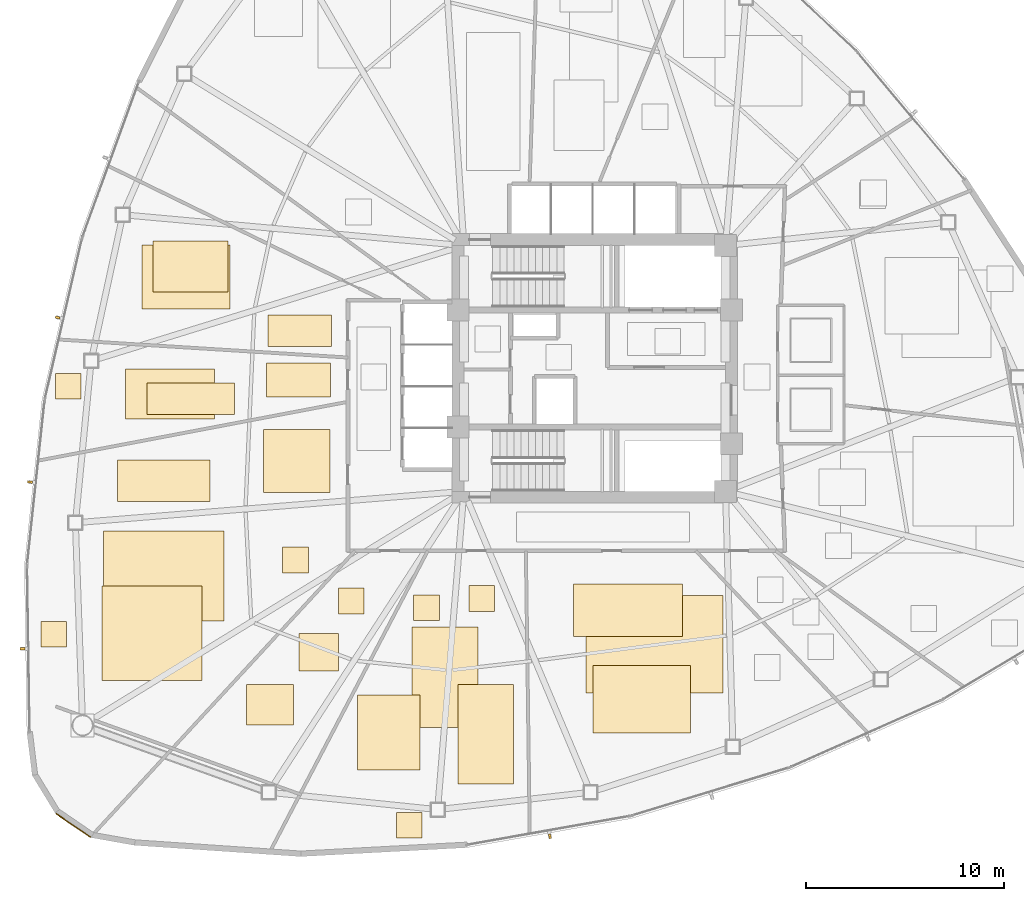
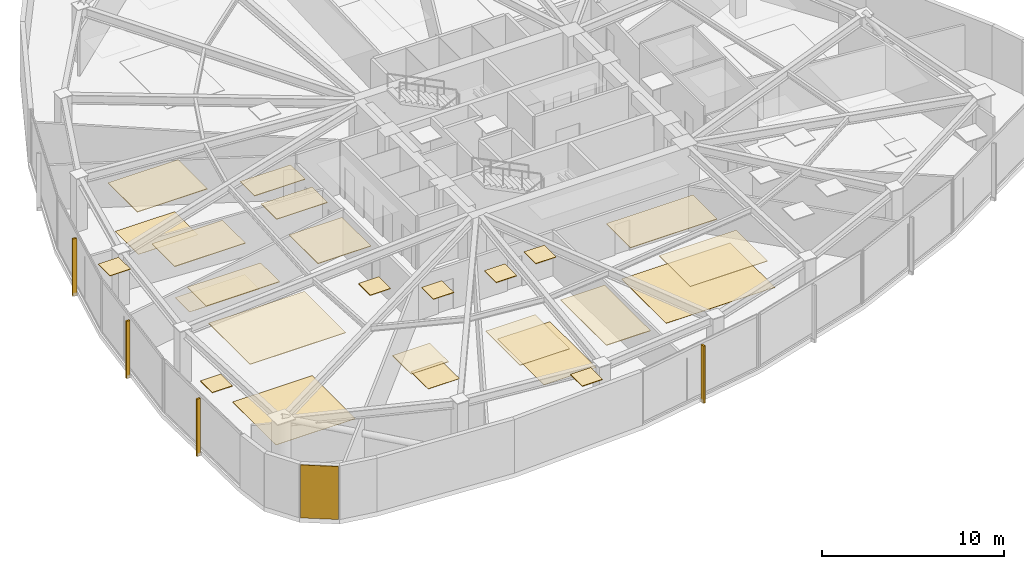
# One storey, part 14 of 17: 26 coverings, 4 shading devices.
"""IFC4 building model written with IfcOpenShell, lengths in metres."""

from ifc_helpers import new_model, si_unit, direction, frame, origin, origin_2d, place, context, subcontext, project, spatial, polyline, rectangle, outline, extrude, source, transform, mapped, material, layer, layer_set, type_object, type_shapes, element, save


model = new_model("IFC4")

# Units and contexts
model_context = context("Model", 3, precision=1e-05, world=origin(), true_north=direction((0.0, 1.0)))
body_context = subcontext(model_context, "Body", "Model", "MODEL_VIEW")
ifc_project = project(units=[si_unit("LENGTHUNIT", "METRE"), si_unit("AREAUNIT", "SQUARE_METRE"), si_unit("VOLUMEUNIT", "CUBIC_METRE"), si_unit("PLANEANGLEUNIT", "RADIAN"), si_unit("MASSUNIT", "GRAM", prefix="KILO")], contexts=[model_context])

# Site, building, storey
site_placement = place(None, origin())
site = spatial("IfcSite", under=ifc_project, at=site_placement, CompositionType="ELEMENT")
building_placement = place(site_placement, origin())
building = spatial("IfcBuilding", under=site, at=building_placement, Name="Tavelor Broadcast Tower", CompositionType="ELEMENT")
storey_placement = place(building_placement, frame((0.0, 0.0, 82.199951171875)))
storey = spatial("IfcBuildingStorey", under=building, at=storey_placement, Name="L19", CompositionType="ELEMENT", Elevation=82.199951171875)

# Coverings
ifc_material_1 = material(Name="Copper-Bronze Anodized Aluminium", Category="aluminium")
ifc_layer_1 = layer(ifc_material_1, 0.050048828125)
ifc_layer_set_1 = layer_set([ifc_layer_1], Name="Copper-Bronze Anodized Aluminium")
covering_type_1 = type_object("IfcCoveringType", Name="Champagne-Bronze Corner Pier Metal Cladding 50 mm", PredefinedType="CLADDING", material=ifc_layer_set_1)
covering_1_placement = place(storey_placement, frame((23.678955078125, 21.94873046875, 0.02001953125), z_axis=(0.0, 0.0, 1.0), x_axis=(0.825606210755, -0.56424674103, 0.0)))
element("IfcCovering", 1, at=covering_1_placement, inside=storey, type_object=covering_type_1, Name="L19 Champagne-Bronze Corner Cladding 13", PredefinedType="CLADDING", context=body_context, shape_type="SweptSolid", body=[
    extrude(rectangle(XDim=2.110595703125, YDim=0.050048828125, at=origin_2d()), origin(), (0.0, 0.0, 1.0), 3.56005859375),
])
ifc_material_2 = material(Name="Acoustic Nylon Carpet Tile")
ifc_layer_2 = layer(ifc_material_2, 0.02001953125)
ifc_layer_set_2 = layer_set([ifc_layer_2], Name="Acoustic Nylon Carpet Tile")
covering_type_2 = type_object("IfcCoveringType", Name="Heavy-Duty Acoustic Broadcast Carpet Tile 20 mm", PredefinedType="FLOORING", material=ifc_layer_set_2)
covering_2_placement = place(storey_placement, origin())
element("IfcCovering", 2, at=covering_2_placement, inside=storey, type_object=covering_type_2, Name="L19 Broadcast Floor Finish 0276", PredefinedType="FLOORING", context=body_context, shape_type="SweptSolid", body=[
    extrude(outline(polyline([(49.560546875, 28.62890625), (56.46630859375, 28.62890625), (56.46630859375, 33.54248046875), (49.560546875, 33.54248046875), (49.560546875, 28.62890625)])), origin(), (0.0, 0.0, 1.0), 0.02001953125),
])
covering_3_placement = place(storey_placement, origin())
element("IfcCovering", 3, at=covering_3_placement, inside=storey, type_object=covering_type_2, Name="L19 Broadcast Floor Finish 0277", PredefinedType="FLOORING", context=body_context, shape_type="SweptSolid", body=[
    extrude(outline(polyline([(40.779296875, 26.881591796875), (44.10498046875, 26.881591796875), (44.10498046875, 31.9638671875), (40.779296875, 31.9638671875), (40.779296875, 26.881591796875)])), origin(), (0.0, 0.0, 1.0), 0.02001953125),
])
covering_4_placement = place(storey_placement, origin())
element("IfcCovering", 4, at=covering_4_placement, inside=storey, type_object=covering_type_2, Name="L19 Broadcast Floor Finish 0278", PredefinedType="FLOORING", context=body_context, shape_type="SweptSolid", body=[
    extrude(outline(polyline([(35.07373046875, 29.72265625), (37.064208984375, 29.72265625), (37.064208984375, 31.639404296875), (35.07373046875, 31.639404296875), (35.07373046875, 29.72265625)])), origin(), (0.0, 0.0, 1.0), 0.02001953125),
])
covering_5_placement = place(storey_placement, origin())
element("IfcCovering", 5, at=covering_5_placement, inside=storey, type_object=covering_type_2, Name="L19 Broadcast Floor Finish 0279", PredefinedType="FLOORING", context=body_context, shape_type="SweptSolid", body=[
    extrude(outline(polyline([(25.130615234375, 29.256103515625), (30.18798828125, 29.256103515625), (30.18798828125, 34.021728515625), (25.130615234375, 34.021728515625), (25.130615234375, 29.256103515625)])), origin(), (0.0, 0.0, 1.0), 0.02001953125),
])
covering_6_placement = place(storey_placement, origin())
element("IfcCovering", 6, at=covering_6_placement, inside=storey, type_object=covering_type_2, Name="L19 Broadcast Floor Finish 0280", PredefinedType="FLOORING", context=body_context, shape_type="SweptSolid", body=[
    extrude(outline(polyline([(27.395751953125, 42.67529296875), (31.81201171875, 42.67529296875), (31.81201171875, 44.2705078125), (27.395751953125, 44.2705078125), (27.395751953125, 42.67529296875)])), origin(), (0.0, 0.0, 1.0), 0.02001953125),
])
covering_7_placement = place(storey_placement, origin())
element("IfcCovering", 7, at=covering_7_placement, inside=storey, type_object=covering_type_2, Name="L19 Broadcast Floor Finish 0281", PredefinedType="FLOORING", context=body_context, shape_type="SweptSolid", body=[
    extrude(outline(polyline([(27.718994140625, 48.868896484375), (31.49951171875, 48.868896484375), (31.49951171875, 51.42236328125), (27.718994140625, 51.42236328125), (27.718994140625, 48.868896484375)])), origin(), (0.0, 0.0, 1.0), 0.02001953125),
])
ifc_material_3 = material(Name="Acoustic Mineral Fibre Tile")
ifc_layer_3 = layer(ifc_material_3, 0.0400390625)
ifc_layer_set_3 = layer_set([ifc_layer_3], Name="Acoustic Mineral Fibre Tile")
covering_type_3 = type_object("IfcCoveringType", Name="Suspended Acoustic Mineral-Fibre Office Ceiling 40 mm", PredefinedType="CEILING", material=ifc_layer_set_3)
covering_8_placement = place(storey_placement, frame((0.0, 0.0, 3.56005859375)))
element("IfcCovering", 8, at=covering_8_placement, inside=storey, type_object=covering_type_3, Name="L19 Suspended Acoustic Ceiling 0790", PredefinedType="CEILING", context=body_context, shape_type="SweptSolid", body=[
    extrude(outline(polyline([(48.93310546875, 31.4697265625), (54.43603515625, 31.4697265625), (54.43603515625, 34.13134765625), (48.93310546875, 34.13134765625), (48.93310546875, 31.4697265625)])), origin(), (0.0, 0.0, 1.0), 0.0400390625),
])
covering_9_placement = place(storey_placement, frame((0.0, 0.0, 3.56005859375)))
element("IfcCovering", 9, at=covering_9_placement, inside=storey, type_object=covering_type_3, Name="L19 Suspended Acoustic Ceiling 0792", PredefinedType="CEILING", context=body_context, shape_type="SweptSolid", body=[
    extrude(outline(polyline([(49.914794921875, 26.596435546875), (54.821533203125, 26.596435546875), (54.821533203125, 30.024169921875), (49.914794921875, 30.024169921875), (49.914794921875, 26.596435546875)])), origin(), (0.0, 0.0, 1.0), 0.0400390625),
])
covering_10_placement = place(storey_placement, frame((0.0, 0.0, 3.56005859375)))
element("IfcCovering", 10, at=covering_10_placement, inside=storey, type_object=covering_type_3, Name="L19 Suspended Acoustic Ceiling 0793", PredefinedType="CEILING", context=body_context, shape_type="SweptSolid", body=[
    extrude(outline(polyline([(38.029052734375, 24.7421875), (41.1904296875, 24.7421875), (41.1904296875, 28.5283203125), (38.029052734375, 28.5283203125), (38.029052734375, 24.7421875)])), origin(), (0.0, 0.0, 1.0), 0.0400390625),
])
covering_11_placement = place(storey_placement, frame((0.0, 0.0, 3.56005859375)))
element("IfcCovering", 11, at=covering_11_placement, inside=storey, type_object=covering_type_3, Name="L19 Suspended Acoustic Ceiling 0794", PredefinedType="CEILING", context=body_context, shape_type="SweptSolid", body=[
    extrude(outline(polyline([(40.868408203125, 32.272705078125), (42.168212890625, 32.272705078125), (42.168212890625, 33.572509765625), (40.868408203125, 33.572509765625), (40.868408203125, 32.272705078125)])), origin(), (0.0, 0.0, 1.0), 0.0400390625),
])
covering_12_placement = place(storey_placement, frame((0.0, 0.0, 3.56005859375)))
element("IfcCovering", 12, at=covering_12_placement, inside=storey, type_object=covering_type_3, Name="L19 Suspended Acoustic Ceiling 0795", PredefinedType="CEILING", context=body_context, shape_type="SweptSolid", body=[
    extrude(outline(polyline([(43.654541015625, 32.74755859375), (44.95458984375, 32.74755859375), (44.95458984375, 34.047607421875), (43.654541015625, 34.047607421875), (43.654541015625, 32.74755859375)])), origin(), (0.0, 0.0, 1.0), 0.0400390625),
])
covering_13_placement = place(storey_placement, frame((0.0, 0.0, 3.56005859375)))
element("IfcCovering", 13, at=covering_13_placement, inside=storey, type_object=covering_type_3, Name="L19 Suspended Acoustic Ceiling 0796", PredefinedType="CEILING", context=body_context, shape_type="SweptSolid", body=[
    extrude(outline(polyline([(43.102294921875, 24.02880859375), (45.912109375, 24.02880859375), (45.912109375, 29.0615234375), (43.102294921875, 29.0615234375), (43.102294921875, 24.02880859375)])), origin(), (0.0, 0.0, 1.0), 0.0400390625),
])
covering_14_placement = place(storey_placement, frame((0.0, 0.0, 3.56005859375)))
element("IfcCovering", 14, at=covering_14_placement, inside=storey, type_object=covering_type_3, Name="L19 Suspended Acoustic Ceiling 0797", PredefinedType="CEILING", context=body_context, shape_type="SweptSolid", body=[
    extrude(outline(polyline([(39.990478515625, 21.29638671875), (41.29052734375, 21.29638671875), (41.29052734375, 22.596435546875), (39.990478515625, 22.596435546875), (39.990478515625, 21.29638671875)])), origin(), (0.0, 0.0, 1.0), 0.0400390625),
])
covering_15_placement = place(storey_placement, frame((0.0, 0.0, 3.56005859375)))
element("IfcCovering", 15, at=covering_15_placement, inside=storey, type_object=covering_type_3, Name="L19 Suspended Acoustic Ceiling 0798", PredefinedType="CEILING", context=body_context, shape_type="SweptSolid", body=[
    extrude(outline(polyline([(32.41748046875, 27.000732421875), (34.799560546875, 27.000732421875), (34.799560546875, 29.06494140625), (32.41748046875, 29.06494140625), (32.41748046875, 27.000732421875)])), origin(), (0.0, 0.0, 1.0), 0.0400390625),
])
covering_16_placement = place(storey_placement, frame((0.0, 0.0, 3.56005859375)))
element("IfcCovering", 16, at=covering_16_placement, inside=storey, type_object=covering_type_3, Name="L19 Suspended Acoustic Ceiling 0799", PredefinedType="CEILING", context=body_context, shape_type="SweptSolid", body=[
    extrude(outline(polyline([(37.070556640625, 32.61328125), (38.37060546875, 32.61328125), (38.37060546875, 33.913330078125), (37.070556640625, 33.913330078125), (37.070556640625, 32.61328125)])), origin(), (0.0, 0.0, 1.0), 0.0400390625),
])
covering_17_placement = place(storey_placement, frame((0.0, 0.0, 3.56005859375)))
element("IfcCovering", 17, at=covering_17_placement, inside=storey, type_object=covering_type_3, Name="L19 Suspended Acoustic Ceiling 0800", PredefinedType="CEILING", context=body_context, shape_type="SweptSolid", body=[
    extrude(outline(polyline([(22.048095703125, 30.939697265625), (23.34814453125, 30.939697265625), (23.34814453125, 32.239501953125), (22.048095703125, 32.239501953125), (22.048095703125, 30.939697265625)])), origin(), (0.0, 0.0, 1.0), 0.0400390625),
])
covering_18_placement = place(storey_placement, frame((0.0, 0.0, 3.56005859375)))
element("IfcCovering", 18, at=covering_18_placement, inside=storey, type_object=covering_type_3, Name="L19 Suspended Acoustic Ceiling 0801", PredefinedType="CEILING", context=body_context, shape_type="SweptSolid", body=[
    extrude(outline(polyline([(25.921630859375, 38.293212890625), (30.58642578125, 38.293212890625), (30.58642578125, 40.3837890625), (25.921630859375, 40.3837890625), (25.921630859375, 38.293212890625)])), origin(), (0.0, 0.0, 1.0), 0.0400390625),
])
covering_19_placement = place(storey_placement, frame((0.0, 0.0, 3.56005859375)))
element("IfcCovering", 19, at=covering_19_placement, inside=storey, type_object=covering_type_3, Name="L19 Suspended Acoustic Ceiling 0802", PredefinedType="CEILING", context=body_context, shape_type="SweptSolid", body=[
    extrude(outline(polyline([(33.28466796875, 38.75048828125), (36.64892578125, 38.75048828125), (36.64892578125, 41.927001953125), (33.28466796875, 41.927001953125), (33.28466796875, 38.75048828125)])), origin(), (0.0, 0.0, 1.0), 0.0400390625),
])
covering_20_placement = place(storey_placement, frame((0.0, 0.0, 3.56005859375)))
element("IfcCovering", 20, at=covering_20_placement, inside=storey, type_object=covering_type_3, Name="L19 Suspended Acoustic Ceiling 0803", PredefinedType="CEILING", context=body_context, shape_type="SweptSolid", body=[
    extrude(outline(polyline([(34.251220703125, 34.6806640625), (35.551025390625, 34.6806640625), (35.551025390625, 35.980712890625), (34.251220703125, 35.980712890625), (34.251220703125, 34.6806640625)])), origin(), (0.0, 0.0, 1.0), 0.0400390625),
])
covering_21_placement = place(storey_placement, frame((0.0, 0.0, 3.56005859375)))
element("IfcCovering", 21, at=covering_21_placement, inside=storey, type_object=covering_type_3, Name="L19 Suspended Acoustic Ceiling 0804", PredefinedType="CEILING", context=body_context, shape_type="SweptSolid", body=[
    extrude(outline(polyline([(25.208740234375, 32.24951171875), (31.298828125, 32.24951171875), (31.298828125, 36.802734375), (25.208740234375, 36.802734375), (25.208740234375, 32.24951171875)])), origin(), (0.0, 0.0, 1.0), 0.0400390625),
])
covering_22_placement = place(storey_placement, frame((0.0, 0.0, 3.56005859375)))
element("IfcCovering", 22, at=covering_22_placement, inside=storey, type_object=covering_type_3, Name="L19 Suspended Acoustic Ceiling 0805", PredefinedType="CEILING", context=body_context, shape_type="SweptSolid", body=[
    extrude(outline(polyline([(33.44140625, 43.568603515625), (36.67431640625, 43.568603515625), (36.67431640625, 45.27490234375), (33.44140625, 45.27490234375), (33.44140625, 43.568603515625)])), origin(), (0.0, 0.0, 1.0), 0.0400390625),
])
covering_23_placement = place(storey_placement, frame((0.0, 0.0, 3.56005859375)))
element("IfcCovering", 23, at=covering_23_placement, inside=storey, type_object=covering_type_3, Name="L19 Suspended Acoustic Ceiling 0806", PredefinedType="CEILING", context=body_context, shape_type="SweptSolid", body=[
    extrude(outline(polyline([(26.31787109375, 42.4482421875), (30.81103515625, 42.4482421875), (30.81103515625, 44.970703125), (26.31787109375, 44.970703125), (26.31787109375, 42.4482421875)])), origin(), (0.0, 0.0, 1.0), 0.0400390625),
])
covering_24_placement = place(storey_placement, frame((0.0, 0.0, 3.56005859375)))
element("IfcCovering", 24, at=covering_24_placement, inside=storey, type_object=covering_type_3, Name="L19 Suspended Acoustic Ceiling 0807", PredefinedType="CEILING", context=body_context, shape_type="SweptSolid", body=[
    extrude(outline(polyline([(22.783447265625, 43.4541015625), (24.08349609375, 43.4541015625), (24.08349609375, 44.75390625), (22.783447265625, 44.75390625), (22.783447265625, 43.4541015625)])), origin(), (0.0, 0.0, 1.0), 0.0400390625),
])
covering_25_placement = place(storey_placement, frame((0.0, 0.0, 3.56005859375)))
element("IfcCovering", 25, at=covering_25_placement, inside=storey, type_object=covering_type_3, Name="L19 Suspended Acoustic Ceiling 0808", PredefinedType="CEILING", context=body_context, shape_type="SweptSolid", body=[
    extrude(outline(polyline([(33.51025390625, 46.114501953125), (36.716552734375, 46.114501953125), (36.716552734375, 47.706787109375), (33.51025390625, 47.706787109375), (33.51025390625, 46.114501953125)])), origin(), (0.0, 0.0, 1.0), 0.0400390625),
])
covering_26_placement = place(storey_placement, frame((0.0, 0.0, 3.56005859375)))
element("IfcCovering", 26, at=covering_26_placement, inside=storey, type_object=covering_type_3, Name="L19 Suspended Acoustic Ceiling 0809", PredefinedType="CEILING", context=body_context, shape_type="SweptSolid", body=[
    extrude(outline(polyline([(27.154052734375, 48.0029296875), (31.608642578125, 48.0029296875), (31.608642578125, 51.229736328125), (27.154052734375, 51.229736328125), (27.154052734375, 48.0029296875)])), origin(), (0.0, 0.0, 1.0), 0.0400390625),
])

# Shading devices
ifc_material_4 = material(Name="Kiln-Fired Glazed Terracotta", Category="masonry")
shading_device_type = type_object("IfcShadingDeviceType", Name="Extruded Terracotta Baguette Sun-Screen 110x240", PredefinedType="JALOUSIE", material=ifc_material_4)
shared_shape = source(origin(), body_context, "Body", "SweptSolid", [
    extrude(rectangle(XDim=0.110107421875, YDim=0.239990234375, at=origin_2d()), origin(), (0.0, 0.0, 1.0), 3.840087890625),
])
type_shapes(shading_device_type, [shared_shape])
for number, where, z_axis, x_axis, name in (
    (27, (22.89892578125, 47.5712890625, -0.259765625), (0.0, 0.0, 1.0), (-0.225291159947, -0.974291482694, 0.0), "L19 Terracotta Baguette Fin 182"),
    (28, (21.502197265625, 39.26904296875, -0.259765625), (0.0, 0.0, 1.0), (-0.105743422663, -0.994393447567, 0.0), "L19 Terracotta Baguette Fin 183"),
    (29, (21.12060546875, 30.85888671875, -0.259765625), (0.0, 0.0, 1.0), (0.015358293575, -0.999882054454, 0.0), "L19 Terracotta Baguette Fin 184"),
    (30, (47.73779296875, 21.396484375, -0.259765625), (0.0, 0.0, 1.0), (0.984747078367, 0.173991929836, 0.0), "L19 Terracotta Baguette Fin 185"),
):
    element("IfcShadingDevice", number, at=place(storey_placement, frame(where, z_axis=z_axis, x_axis=x_axis)), inside=storey, type_object=shading_device_type, Name=name, PredefinedType="JALOUSIE", context=body_context, shape_type="MappedRepresentation", body=[
        mapped(shared_shape, transform((0.0, 0.0, 0.0), scale=1.0)),
    ])

save(model, "model.ifc")
